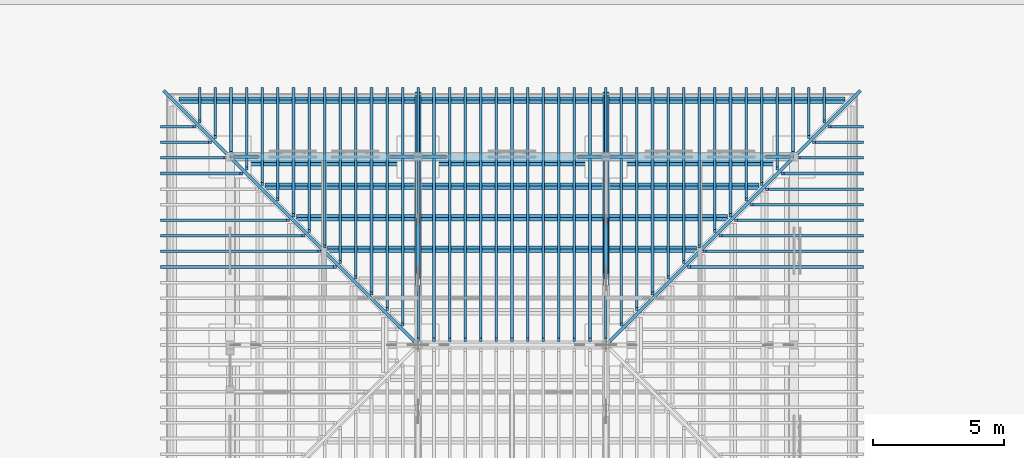
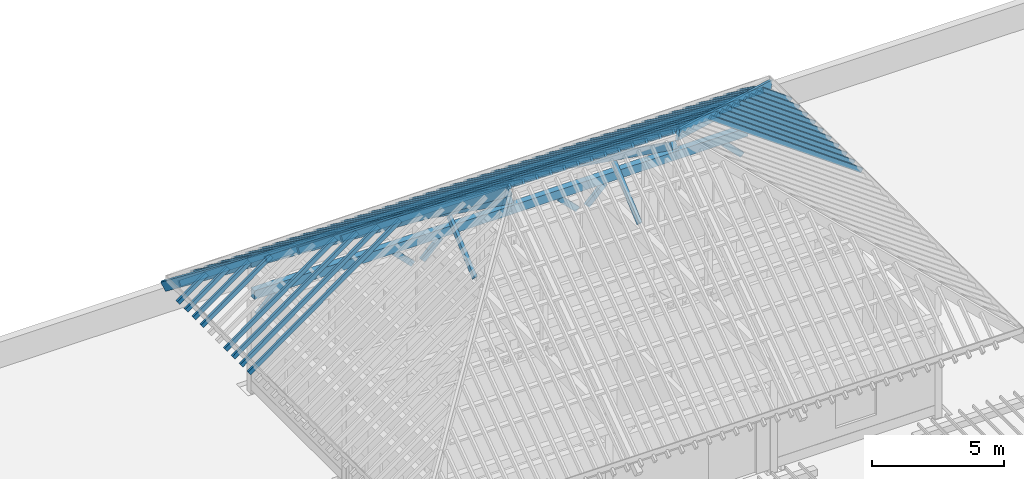
# One storey, part 13 of 84: 78 members, 1 beam.
"""IFC4 building model written with IfcOpenShell, lengths in metres."""

from ifc_helpers import new_model, si_unit, direction, frame, origin, origin_2d, place, context, subcontext, project, spatial, rectangle, extrude, material, material_profile, profile_set, type_object, element, save


model = new_model("IFC4")

# Units and contexts
model_context = context("Model", 3, precision=1e-05, world=origin(), true_north=direction((0.0, 1.0)))
body_context = subcontext(model_context, "Body", "Model", "MODEL_VIEW")
ifc_project = project(units=[si_unit("LENGTHUNIT", "METRE"), si_unit("AREAUNIT", "SQUARE_METRE"), si_unit("VOLUMEUNIT", "CUBIC_METRE"), si_unit("PLANEANGLEUNIT", "RADIAN"), si_unit("MASSUNIT", "GRAM", prefix="KILO")], contexts=[model_context])

# Site, building, storey
site_placement = place(None, origin())
site = spatial("IfcSite", under=ifc_project, at=site_placement, CompositionType="ELEMENT")
building_placement = place(site_placement, origin())
building = spatial("IfcBuilding", under=site, at=building_placement, Name="Mazhai Court Health Centre", CompositionType="ELEMENT")
storey_placement = place(building_placement, origin())
storey = spatial("IfcBuildingStorey", under=building, at=storey_placement, Name="L00", CompositionType="ELEMENT", Elevation=0.0)

# Members
ifc_material_1 = material(Name="Glulam GL24h", Category="wood")
ifc_material_profile_1 = material_profile(ifc_material_1, rectangle(XDim=0.10009765625, YDim=0.199951171875, at=origin_2d()), Name="GL24h 100x200")
ifc_profile_set_1 = profile_set([ifc_material_profile_1], Name="Glulam GL24h")
member_type_1 = type_object("IfcMemberType", Name="GL24h 100x200 rafter", PredefinedType="RAFTER", material=ifc_profile_set_1)
member_1_placement = place(storey_placement, frame((91.445556640625, 66.398193359375, 4.09375), z_axis=(0.0, -0.812418522715, 0.583074732731), x_axis=(1.0, 0.0, 0.0)))
element("IfcMember", 1, at=member_1_placement, inside=storey, type_object=member_type_1, Name="Rafter RV3-RF42", PredefinedType="RAFTER", context=body_context, shape_type="SweptSolid", body=[
    extrude(rectangle(XDim=0.10009765625, YDim=0.199951171875, at=origin_2d()), origin(), (0.0, 0.0, 1.0), 1.532958984375),
])
member_2_placement = place(storey_placement, frame((92.043212890625, 66.398193359375, 4.09375), z_axis=(0.0, -0.812415234691, 0.583079314023), x_axis=(1.0, 0.0, 0.0)))
element("IfcMember", 2, at=member_2_placement, inside=storey, type_object=member_type_1, Name="Rafter RV3-RF43", PredefinedType="RAFTER", context=body_context, shape_type="SweptSolid", body=[
    extrude(rectangle(XDim=0.10009765625, YDim=0.199951171875, at=origin_2d()), origin(), (0.0, 0.0, 1.0), 2.2685546875),
])
member_3_placement = place(storey_placement, frame((92.640869140625, 66.398193359375, 4.09375), z_axis=(0.0, -0.812402691267, 0.583096790612), x_axis=(1.0, 0.0, 0.0)))
element("IfcMember", 3, at=member_3_placement, inside=storey, type_object=member_type_1, Name="Rafter RV3-RF44", PredefinedType="RAFTER", context=body_context, shape_type="SweptSolid", body=[
    extrude(rectangle(XDim=0.10009765625, YDim=0.199951171875, at=origin_2d()), origin(), (0.0, 0.0, 1.0), 3.004638671875),
])
member_4_placement = place(storey_placement, frame((93.238525390625, 66.398193359375, 4.09375), z_axis=(0.0, -0.812403810832, 0.58309523077), x_axis=(1.0, 0.0, 0.0)))
element("IfcMember", 4, at=member_4_placement, inside=storey, type_object=member_type_1, Name="Rafter RV3-RF45", PredefinedType="RAFTER", context=body_context, shape_type="SweptSolid", body=[
    extrude(rectangle(XDim=0.10009765625, YDim=0.199951171875, at=origin_2d()), origin(), (0.0, 0.0, 1.0), 3.740234375),
])
member_5_placement = place(storey_placement, frame((93.83642578125, 66.398193359375, 4.09375), z_axis=(0.0, -0.812404562369, 0.58309418368), x_axis=(1.0, 0.0, 0.0)))
element("IfcMember", 5, at=member_5_placement, inside=storey, type_object=member_type_1, Name="Rafter RV3-RF46", PredefinedType="RAFTER", context=body_context, shape_type="SweptSolid", body=[
    extrude(rectangle(XDim=0.10009765625, YDim=0.199951171875, at=origin_2d()), origin(), (0.0, 0.0, 1.0), 4.475830078125),
])
member_6_placement = place(storey_placement, frame((94.43408203125, 66.398193359375, 4.09375), z_axis=(0.0, -0.812421028402, 0.583071241453), x_axis=(1.0, 0.0, 0.0)))
element("IfcMember", 6, at=member_6_placement, inside=storey, type_object=member_type_1, Name="Rafter RV3-RF47", PredefinedType="RAFTER", context=body_context, shape_type="SweptSolid", body=[
    extrude(rectangle(XDim=0.10009765625, YDim=0.199951171875, at=origin_2d()), origin(), (0.0, 0.0, 1.0), 5.211669921875),
])
member_7_placement = place(storey_placement, frame((95.03173828125, 66.398193359375, 4.09375), z_axis=(0.0, -0.812419464296, 0.583073420791), x_axis=(1.0, 0.0, 0.0)))
element("IfcMember", 7, at=member_7_placement, inside=storey, type_object=member_type_1, Name="Rafter RV3-RF48", PredefinedType="RAFTER", context=body_context, shape_type="SweptSolid", body=[
    extrude(rectangle(XDim=0.10009765625, YDim=0.199951171875, at=origin_2d()), origin(), (0.0, 0.0, 1.0), 5.947509765625),
])
member_8_placement = place(storey_placement, frame((95.629638671875, 66.398193359375, 4.09375), z_axis=(0.0, -0.812418244534, 0.58307512033), x_axis=(1.0, 0.0, 0.0)))
element("IfcMember", 8, at=member_8_placement, inside=storey, type_object=member_type_1, Name="Rafter RV3-RF49", PredefinedType="RAFTER", context=body_context, shape_type="SweptSolid", body=[
    extrude(rectangle(XDim=0.10009765625, YDim=0.199951171875, at=origin_2d()), origin(), (0.0, 0.0, 1.0), 6.68310546875),
])
member_9_placement = place(storey_placement, frame((96.227294921875, 66.398193359375, 4.09375), z_axis=(0.0, -0.812428454473, 0.583060894214), x_axis=(1.0, 0.0, 0.0)))
element("IfcMember", 9, at=member_9_placement, inside=storey, type_object=member_type_1, Name="Rafter RV3-RF50", PredefinedType="RAFTER", context=body_context, shape_type="SweptSolid", body=[
    extrude(rectangle(XDim=0.10009765625, YDim=0.199951171875, at=origin_2d()), origin(), (0.0, 0.0, 1.0), 7.4189453125),
])
member_10_placement = place(storey_placement, frame((96.824951171875, 66.398193359375, 4.09375), z_axis=(0.0, -0.812426643806, 0.583063417163), x_axis=(1.0, 0.0, 0.0)))
element("IfcMember", 10, at=member_10_placement, inside=storey, type_object=member_type_1, Name="Rafter RV3-RF51", PredefinedType="RAFTER", context=body_context, shape_type="SweptSolid", body=[
    extrude(rectangle(XDim=0.10009765625, YDim=0.199951171875, at=origin_2d()), origin(), (0.0, 0.0, 1.0), 8.154541015625),
])
member_11_placement = place(storey_placement, frame((97.422607421875, 66.398193359375, 4.09375), z_axis=(0.0, -0.812425132796, 0.583065522563), x_axis=(1.0, 0.0, 0.0)))
element("IfcMember", 11, at=member_11_placement, inside=storey, type_object=member_type_1, Name="Rafter RV3-RF52", PredefinedType="RAFTER", context=body_context, shape_type="SweptSolid", body=[
    extrude(rectangle(XDim=0.10009765625, YDim=0.199951171875, at=origin_2d()), origin(), (0.0, 0.0, 1.0), 8.89013671875),
])
member_12_placement = place(storey_placement, frame((98.0205078125, 66.398193359375, 4.09375), z_axis=(0.0, -0.812423852739, 0.58306730615), x_axis=(1.0, 0.0, 0.0)))
element("IfcMember", 12, at=member_12_placement, inside=storey, type_object=member_type_1, Name="Rafter RV3-RF53", PredefinedType="RAFTER", context=body_context, shape_type="SweptSolid", body=[
    extrude(rectangle(XDim=0.10009765625, YDim=0.199951171875, at=origin_2d()), origin(), (0.0, 0.0, 1.0), 9.6259765625),
])
member_13_placement = place(storey_placement, frame((98.6181640625, 66.398193359375, 4.09375), z_axis=(0.0, -0.812430764619, 0.583057675278), x_axis=(1.0, 0.0, 0.0)))
element("IfcMember", 13, at=member_13_placement, inside=storey, type_object=member_type_1, Name="Rafter RV3-RF54", PredefinedType="RAFTER", context=body_context, shape_type="SweptSolid", body=[
    extrude(rectangle(XDim=0.10009765625, YDim=0.199951171875, at=origin_2d()), origin(), (0.0, 0.0, 1.0), 10.36181640625),
])
member_14_placement = place(storey_placement, frame((99.2158203125, 66.398193359375, 4.09375), z_axis=(0.0, -0.812429280975, 0.583059742578), x_axis=(1.0, 0.0, 0.0)))
element("IfcMember", 14, at=member_14_placement, inside=storey, type_object=member_type_1, Name="Rafter RV3-RF55", PredefinedType="RAFTER", context=body_context, shape_type="SweptSolid", body=[
    extrude(rectangle(XDim=0.10009765625, YDim=0.199951171875, at=origin_2d()), origin(), (0.0, 0.0, 1.0), 11.097412109375),
])
for number, where, z_axis, x_axis, name in (
    (15, (99.813720703125, 66.398193359375, 4.09375), (0.0, -0.812426122634, 0.583064143352), (1.0, 0.0, 0.0), "Rafter RV3-RF56"),
    (16, (100.411376953125, 66.398193359375, 4.09375), (0.0, -0.812426122634, 0.583064143352), (1.0, 0.0, 0.0), "Rafter RV3-RF57"),
    (17, (101.009033203125, 66.398193359375, 4.09375), (0.0, -0.812426122634, 0.583064143352), (1.0, 0.0, 0.0), "Rafter RV3-RF58"),
    (18, (101.60693359375, 66.398193359375, 4.09375), (0.0, -0.812426122634, 0.583064143352), (1.0, 0.0, 0.0), "Rafter RV3-RF59"),
    (19, (102.20458984375, 66.398193359375, 4.09375), (0.0, -0.812426122634, 0.583064143352), (1.0, 0.0, 0.0), "Rafter RV3-RF60"),
    (20, (102.80224609375, 66.398193359375, 4.09375), (0.0, -0.812426122634, 0.583064143352), (1.0, 0.0, 0.0), "Rafter RV3-RF61"),
    (21, (103.39990234375, 66.398193359375, 4.09375), (0.0, -0.812426122634, 0.583064143352), (1.0, 0.0, 0.0), "Rafter RV3-RF62"),
    (22, (103.997802734375, 66.398193359375, 4.09375), (0.0, -0.812426122634, 0.583064143352), (1.0, 0.0, 0.0), "Rafter RV3-RF63"),
    (23, (104.595458984375, 66.398193359375, 4.09375), (0.0, -0.812426122634, 0.583064143352), (1.0, 0.0, 0.0), "Rafter RV3-RF64"),
    (24, (105.193115234375, 66.398193359375, 4.09375), (0.0, -0.812426122634, 0.583064143352), (1.0, 0.0, 0.0), "Rafter RV3-RF65"),
    (25, (105.791015625, 66.398193359375, 4.09375), (0.0, -0.812426122634, 0.583064143352), (1.0, 0.0, 0.0), "Rafter RV3-RF66"),
    (26, (106.388671875, 66.398193359375, 4.09375), (0.0, -0.812426122634, 0.583064143352), (1.0, 0.0, 0.0), "Rafter RV3-RF67"),
    (27, (106.986328125, 66.398193359375, 4.09375), (0.0, -0.812426122634, 0.583064143352), (1.0, 0.0, 0.0), "Rafter RV3-RF68"),
):
    element("IfcMember", number, at=place(storey_placement, frame(where, z_axis=z_axis, x_axis=x_axis)), inside=storey, type_object=member_type_1, Name=name, PredefinedType="RAFTER", context=body_context, shape_type="SweptSolid", body=[
        extrude(rectangle(XDim=0.10009765625, YDim=0.199951171875, at=origin_2d()), origin(), (0.0, 0.0, 1.0), 11.816162109375),
    ])
member_15_placement = place(storey_placement, frame((107.583984375, 66.398193359375, 4.09375), z_axis=(0.0, -0.812429280975, 0.583059742578), x_axis=(1.0, 0.0, 0.0)))
element("IfcMember", 28, at=member_15_placement, inside=storey, type_object=member_type_1, Name="Rafter RV3-RF69", PredefinedType="RAFTER", context=body_context, shape_type="SweptSolid", body=[
    extrude(rectangle(XDim=0.10009765625, YDim=0.199951171875, at=origin_2d()), origin(), (0.0, 0.0, 1.0), 11.097412109375),
])
member_16_placement = place(storey_placement, frame((108.181884765625, 66.398193359375, 4.09375), z_axis=(0.0, -0.812430764619, 0.583057675278), x_axis=(1.0, 0.0, 0.0)))
element("IfcMember", 29, at=member_16_placement, inside=storey, type_object=member_type_1, Name="Rafter RV3-RF70", PredefinedType="RAFTER", context=body_context, shape_type="SweptSolid", body=[
    extrude(rectangle(XDim=0.10009765625, YDim=0.199951171875, at=origin_2d()), origin(), (0.0, 0.0, 1.0), 10.36181640625),
])
member_17_placement = place(storey_placement, frame((108.779541015625, 66.398193359375, 4.09375), z_axis=(0.0, -0.812423852739, 0.58306730615), x_axis=(1.0, 0.0, 0.0)))
element("IfcMember", 30, at=member_17_placement, inside=storey, type_object=member_type_1, Name="Rafter RV3-RF71", PredefinedType="RAFTER", context=body_context, shape_type="SweptSolid", body=[
    extrude(rectangle(XDim=0.10009765625, YDim=0.199951171875, at=origin_2d()), origin(), (0.0, 0.0, 1.0), 9.6259765625),
])
member_18_placement = place(storey_placement, frame((109.377197265625, 66.398193359375, 4.09375), z_axis=(0.0, -0.812425132796, 0.583065522563), x_axis=(1.0, 0.0, 0.0)))
element("IfcMember", 31, at=member_18_placement, inside=storey, type_object=member_type_1, Name="Rafter RV3-RF72", PredefinedType="RAFTER", context=body_context, shape_type="SweptSolid", body=[
    extrude(rectangle(XDim=0.10009765625, YDim=0.199951171875, at=origin_2d()), origin(), (0.0, 0.0, 1.0), 8.89013671875),
])
member_19_placement = place(storey_placement, frame((109.97509765625, 66.398193359375, 4.09375), z_axis=(0.0, -0.812426643806, 0.583063417163), x_axis=(1.0, 0.0, 0.0)))
element("IfcMember", 32, at=member_19_placement, inside=storey, type_object=member_type_1, Name="Rafter RV3-RF73", PredefinedType="RAFTER", context=body_context, shape_type="SweptSolid", body=[
    extrude(rectangle(XDim=0.10009765625, YDim=0.199951171875, at=origin_2d()), origin(), (0.0, 0.0, 1.0), 8.154541015625),
])
member_20_placement = place(storey_placement, frame((110.57275390625, 66.398193359375, 4.09375), z_axis=(0.0, -0.812428454473, 0.583060894214), x_axis=(1.0, 0.0, 0.0)))
element("IfcMember", 33, at=member_20_placement, inside=storey, type_object=member_type_1, Name="Rafter RV3-RF74", PredefinedType="RAFTER", context=body_context, shape_type="SweptSolid", body=[
    extrude(rectangle(XDim=0.10009765625, YDim=0.199951171875, at=origin_2d()), origin(), (0.0, 0.0, 1.0), 7.4189453125),
])
member_21_placement = place(storey_placement, frame((111.17041015625, 66.398193359375, 4.09375), z_axis=(0.0, -0.812418244534, 0.58307512033), x_axis=(1.0, 0.0, 0.0)))
element("IfcMember", 34, at=member_21_placement, inside=storey, type_object=member_type_1, Name="Rafter RV3-RF75", PredefinedType="RAFTER", context=body_context, shape_type="SweptSolid", body=[
    extrude(rectangle(XDim=0.10009765625, YDim=0.199951171875, at=origin_2d()), origin(), (0.0, 0.0, 1.0), 6.68310546875),
])
member_22_placement = place(storey_placement, frame((111.76806640625, 66.398193359375, 4.09375), z_axis=(0.0, -0.812419464296, 0.583073420791), x_axis=(1.0, 0.0, 0.0)))
element("IfcMember", 35, at=member_22_placement, inside=storey, type_object=member_type_1, Name="Rafter RV3-RF76", PredefinedType="RAFTER", context=body_context, shape_type="SweptSolid", body=[
    extrude(rectangle(XDim=0.10009765625, YDim=0.199951171875, at=origin_2d()), origin(), (0.0, 0.0, 1.0), 5.947509765625),
])
member_23_placement = place(storey_placement, frame((112.365966796875, 66.398193359375, 4.09375), z_axis=(0.0, -0.812421028402, 0.583071241453), x_axis=(1.0, 0.0, 0.0)))
element("IfcMember", 36, at=member_23_placement, inside=storey, type_object=member_type_1, Name="Rafter RV3-RF77", PredefinedType="RAFTER", context=body_context, shape_type="SweptSolid", body=[
    extrude(rectangle(XDim=0.10009765625, YDim=0.199951171875, at=origin_2d()), origin(), (0.0, 0.0, 1.0), 5.211669921875),
])
member_24_placement = place(storey_placement, frame((112.963623046875, 66.398193359375, 4.09375), z_axis=(0.0, -0.812404562369, 0.58309418368), x_axis=(1.0, 0.0, 0.0)))
element("IfcMember", 37, at=member_24_placement, inside=storey, type_object=member_type_1, Name="Rafter RV3-RF78", PredefinedType="RAFTER", context=body_context, shape_type="SweptSolid", body=[
    extrude(rectangle(XDim=0.10009765625, YDim=0.199951171875, at=origin_2d()), origin(), (0.0, 0.0, 1.0), 4.475830078125),
])
member_25_placement = place(storey_placement, frame((113.561279296875, 66.398193359375, 4.09375), z_axis=(0.0, -0.812403810832, 0.58309523077), x_axis=(1.0, 0.0, 0.0)))
element("IfcMember", 38, at=member_25_placement, inside=storey, type_object=member_type_1, Name="Rafter RV3-RF79", PredefinedType="RAFTER", context=body_context, shape_type="SweptSolid", body=[
    extrude(rectangle(XDim=0.10009765625, YDim=0.199951171875, at=origin_2d()), origin(), (0.0, 0.0, 1.0), 3.740234375),
])
member_26_placement = place(storey_placement, frame((114.1591796875, 66.398193359375, 4.09375), z_axis=(0.0, -0.812402691267, 0.583096790612), x_axis=(1.0, 0.0, 0.0)))
element("IfcMember", 39, at=member_26_placement, inside=storey, type_object=member_type_1, Name="Rafter RV3-RF80", PredefinedType="RAFTER", context=body_context, shape_type="SweptSolid", body=[
    extrude(rectangle(XDim=0.10009765625, YDim=0.199951171875, at=origin_2d()), origin(), (0.0, 0.0, 1.0), 3.004638671875),
])
member_27_placement = place(storey_placement, frame((114.7568359375, 66.398193359375, 4.09375), z_axis=(0.0, -0.812415234691, 0.583079314023), x_axis=(1.0, 0.0, 0.0)))
element("IfcMember", 40, at=member_27_placement, inside=storey, type_object=member_type_1, Name="Rafter RV3-RF81", PredefinedType="RAFTER", context=body_context, shape_type="SweptSolid", body=[
    extrude(rectangle(XDim=0.10009765625, YDim=0.199951171875, at=origin_2d()), origin(), (0.0, 0.0, 1.0), 2.2685546875),
])
member_28_placement = place(storey_placement, frame((115.3544921875, 66.398193359375, 4.09375), z_axis=(0.0, -0.812418522715, 0.583074732731), x_axis=(1.0, 0.0, 0.0)))
element("IfcMember", 41, at=member_28_placement, inside=storey, type_object=member_type_1, Name="Rafter RV3-RF82", PredefinedType="RAFTER", context=body_context, shape_type="SweptSolid", body=[
    extrude(rectangle(XDim=0.10009765625, YDim=0.199951171875, at=origin_2d()), origin(), (0.0, 0.0, 1.0), 1.532958984375),
])
member_29_placement = place(storey_placement, frame((90.001708984375, 59.58447265625, 4.09375), z_axis=(0.812436984369, 0.0, 0.5830490086), x_axis=(0.0, 1.0, 0.0)))
element("IfcMember", 42, at=member_29_placement, inside=storey, type_object=member_type_1, Name="Rafter RV3-RF102", PredefinedType="RAFTER", context=body_context, shape_type="SweptSolid", body=[
    extrude(rectangle(XDim=0.10009765625, YDim=0.199951171875, at=origin_2d()), origin(), (0.0, 0.0, 1.0), 8.14306640625),
])
member_30_placement = place(storey_placement, frame((90.001708984375, 60.18115234375, 4.09375), z_axis=(0.812426601812, 0.0, 0.583063475677), x_axis=(0.0, 1.0, 0.0)))
element("IfcMember", 43, at=member_30_placement, inside=storey, type_object=member_type_1, Name="Rafter RV3-RF103", PredefinedType="RAFTER", context=body_context, shape_type="SweptSolid", body=[
    extrude(rectangle(XDim=0.10009765625, YDim=0.199951171875, at=origin_2d()), origin(), (0.0, 0.0, 1.0), 7.408447265625),
])
member_31_placement = place(storey_placement, frame((90.001708984375, 60.778076171875, 4.09375), z_axis=(0.812431262161, 0.0, 0.583056982003), x_axis=(0.0, 1.0, 0.0)))
element("IfcMember", 44, at=member_31_placement, inside=storey, type_object=member_type_1, Name="Rafter RV3-RF104", PredefinedType="RAFTER", context=body_context, shape_type="SweptSolid", body=[
    extrude(rectangle(XDim=0.10009765625, YDim=0.199951171875, at=origin_2d()), origin(), (0.0, 0.0, 1.0), 6.673583984375),
])
member_32_placement = place(storey_placement, frame((90.001708984375, 61.375, 4.09375), z_axis=(0.812417602705, 0.0, 0.583076014611), x_axis=(0.0, 1.0, 0.0)))
element("IfcMember", 45, at=member_32_placement, inside=storey, type_object=member_type_1, Name="Rafter RV3-RF105", PredefinedType="RAFTER", context=body_context, shape_type="SweptSolid", body=[
    extrude(rectangle(XDim=0.10009765625, YDim=0.199951171875, at=origin_2d()), origin(), (0.0, 0.0, 1.0), 5.93896484375),
])
member_33_placement = place(storey_placement, frame((90.001708984375, 63.16552734375, 4.09375), z_axis=(0.812428532233, 0.0, 0.583060785865), x_axis=(0.0, 1.0, 0.0)))
element("IfcMember", 46, at=member_33_placement, inside=storey, type_object=member_type_1, Name="Rafter RV3-RF108", PredefinedType="RAFTER", context=body_context, shape_type="SweptSolid", body=[
    extrude(rectangle(XDim=0.10009765625, YDim=0.199951171875, at=origin_2d()), origin(), (0.0, 0.0, 1.0), 3.735107421875),
])
member_34_placement = place(storey_placement, frame((90.001708984375, 63.762451171875, 4.09375), z_axis=(0.812439371271, 0.0, 0.583045682608), x_axis=(0.0, 1.0, 0.0)))
element("IfcMember", 47, at=member_34_placement, inside=storey, type_object=member_type_1, Name="Rafter RV3-RF109", PredefinedType="RAFTER", context=body_context, shape_type="SweptSolid", body=[
    extrude(rectangle(XDim=0.10009765625, YDim=0.199951171875, at=origin_2d()), origin(), (0.0, 0.0, 1.0), 3.000244140625),
])
member_35_placement = place(storey_placement, frame((90.001708984375, 64.359375, 4.09375), z_axis=(0.812406193788, 0.0, 0.583091910676), x_axis=(0.0, 1.0, 0.0)))
element("IfcMember", 48, at=member_35_placement, inside=storey, type_object=member_type_1, Name="Rafter RV3-RF110", PredefinedType="RAFTER", context=body_context, shape_type="SweptSolid", body=[
    extrude(rectangle(XDim=0.10009765625, YDim=0.199951171875, at=origin_2d()), origin(), (0.0, 0.0, 1.0), 2.265625),
])
for number, where, z_axis, x_axis, name in (
    (49, (90.001708984375, 64.956298828125, 4.09375), (0.81247092687, 0.0, 0.583001709252), (0.0, 1.0, 0.0), "Rafter RV3-RF111"),
    (50, (116.79833984375, 64.956298828125, 4.09375), (-0.81247092687, 0.0, 0.583001709252), (0.0, -1.0, 0.0), "Rafter RV3-RF112"),
):
    element("IfcMember", number, at=place(storey_placement, frame(where, z_axis=z_axis, x_axis=x_axis)), inside=storey, type_object=member_type_1, Name=name, PredefinedType="RAFTER", context=body_context, shape_type="SweptSolid", body=[
        extrude(rectangle(XDim=0.10009765625, YDim=0.199951171875, at=origin_2d()), origin(), (0.0, 0.0, 1.0), 1.531005859375),
    ])
member_36_placement = place(storey_placement, frame((116.79833984375, 64.359375, 4.09375), z_axis=(-0.812442827125, 0.0, 0.583040867052), x_axis=(0.0, -1.0, 0.0)))
element("IfcMember", 51, at=member_36_placement, inside=storey, type_object=member_type_1, Name="Rafter RV3-RF113", PredefinedType="RAFTER", context=body_context, shape_type="SweptSolid", body=[
    extrude(rectangle(XDim=0.10009765625, YDim=0.199951171875, at=origin_2d()), origin(), (0.0, 0.0, 1.0), 2.265869140625),
])
member_37_placement = place(storey_placement, frame((116.79833984375, 63.762451171875, 4.09375), z_axis=(-0.812439371271, 0.0, 0.583045682608), x_axis=(0.0, -1.0, 0.0)))
element("IfcMember", 52, at=member_37_placement, inside=storey, type_object=member_type_1, Name="Rafter RV3-RF114", PredefinedType="RAFTER", context=body_context, shape_type="SweptSolid", body=[
    extrude(rectangle(XDim=0.10009765625, YDim=0.199951171875, at=origin_2d()), origin(), (0.0, 0.0, 1.0), 3.000244140625),
])
member_38_placement = place(storey_placement, frame((116.79833984375, 63.16552734375, 4.09375), z_axis=(-0.812428532233, 0.0, 0.583060785865), x_axis=(0.0, -1.0, 0.0)))
element("IfcMember", 53, at=member_38_placement, inside=storey, type_object=member_type_1, Name="Rafter RV3-RF115", PredefinedType="RAFTER", context=body_context, shape_type="SweptSolid", body=[
    extrude(rectangle(XDim=0.10009765625, YDim=0.199951171875, at=origin_2d()), origin(), (0.0, 0.0, 1.0), 3.735107421875),
])
member_39_placement = place(storey_placement, frame((116.79833984375, 62.56884765625, 4.09375), z_axis=(-0.812421256659, 0.0, 0.583070923412), x_axis=(0.0, -1.0, 0.0)))
element("IfcMember", 54, at=member_39_placement, inside=storey, type_object=member_type_1, Name="Rafter RV3-RF116", PredefinedType="RAFTER", context=body_context, shape_type="SweptSolid", body=[
    extrude(rectangle(XDim=0.10009765625, YDim=0.199951171875, at=origin_2d()), origin(), (0.0, 0.0, 1.0), 4.4697265625),
])
member_40_placement = place(storey_placement, frame((116.79833984375, 61.971923828125, 4.09375), z_axis=(-0.81243825622, 0.0, 0.583047236362), x_axis=(0.0, -1.0, 0.0)))
element("IfcMember", 55, at=member_40_placement, inside=storey, type_object=member_type_1, Name="Rafter RV3-RF117", PredefinedType="RAFTER", context=body_context, shape_type="SweptSolid", body=[
    extrude(rectangle(XDim=0.10009765625, YDim=0.199951171875, at=origin_2d()), origin(), (0.0, 0.0, 1.0), 5.204345703125),
])
member_41_placement = place(storey_placement, frame((116.79833984375, 61.375, 4.09375), z_axis=(-0.812431577809, 0.0, 0.58305654218), x_axis=(0.0, -1.0, 0.0)))
element("IfcMember", 56, at=member_41_placement, inside=storey, type_object=member_type_1, Name="Rafter RV3-RF118", PredefinedType="RAFTER", context=body_context, shape_type="SweptSolid", body=[
    extrude(rectangle(XDim=0.10009765625, YDim=0.199951171875, at=origin_2d()), origin(), (0.0, 0.0, 1.0), 5.939208984375),
])
member_42_placement = place(storey_placement, frame((116.79833984375, 60.778076171875, 4.09375), z_axis=(-0.812431262161, 0.0, 0.583056982003), x_axis=(0.0, -1.0, 0.0)))
element("IfcMember", 57, at=member_42_placement, inside=storey, type_object=member_type_1, Name="Rafter RV3-RF119", PredefinedType="RAFTER", context=body_context, shape_type="SweptSolid", body=[
    extrude(rectangle(XDim=0.10009765625, YDim=0.199951171875, at=origin_2d()), origin(), (0.0, 0.0, 1.0), 6.673583984375),
])
member_43_placement = place(storey_placement, frame((116.79833984375, 60.18115234375, 4.09375), z_axis=(-0.812426601812, 0.0, 0.583063475677), x_axis=(0.0, -1.0, 0.0)))
element("IfcMember", 58, at=member_43_placement, inside=storey, type_object=member_type_1, Name="Rafter RV3-RF120", PredefinedType="RAFTER", context=body_context, shape_type="SweptSolid", body=[
    extrude(rectangle(XDim=0.10009765625, YDim=0.199951171875, at=origin_2d()), origin(), (0.0, 0.0, 1.0), 7.408447265625),
])
member_44_placement = place(storey_placement, frame((116.79833984375, 59.58447265625, 4.09375), z_axis=(-0.812436984369, 0.0, 0.5830490086), x_axis=(0.0, -1.0, 0.0)))
element("IfcMember", 59, at=member_44_placement, inside=storey, type_object=member_type_1, Name="Rafter RV3-RF121", PredefinedType="RAFTER", context=body_context, shape_type="SweptSolid", body=[
    extrude(rectangle(XDim=0.10009765625, YDim=0.199951171875, at=origin_2d()), origin(), (0.0, 0.0, 1.0), 8.14306640625),
])
ifc_material_2 = material(Name="Glulam GL24h", Category="wood")
ifc_material_profile_2 = material_profile(ifc_material_2, rectangle(XDim=0.1201171875, YDim=0.43994140625, at=origin_2d()), Name="GL24h 120x440")
ifc_profile_set_2 = profile_set([ifc_material_profile_2], Name="Glulam GL24h")
member_type_2 = type_object("IfcMemberType", Name="GL24h 120x440 hip rafter", PredefinedType="RAFTER", material=ifc_profile_set_2)
member_45_placement = place(storey_placement, frame((92.51708984375, 63.883056640625, 5.72705078125), z_axis=(0.630548266976, -0.630569611106, 0.452538228841), x_axis=(0.707118748704, 0.707094813466, 0.0)))
element("IfcMember", 60, at=member_45_placement, inside=storey, type_object=member_type_2, Name="Hip rafter RV3-HR5", PredefinedType="RAFTER", context=body_context, shape_type="SweptSolid", body=[
    extrude(rectangle(XDim=0.1201171875, YDim=0.43994140625, at=origin_2d()), origin(), (0.0, 0.0, 1.0), 11.438232421875),
])
member_46_placement = place(storey_placement, frame((90.129638671875, 66.2705078125, 4.013671875), z_axis=(0.630529297618, -0.630593440985, 0.452531454191), x_axis=(0.707142745217, 0.707070815327, 0.0)))
element("IfcMember", 61, at=member_46_placement, inside=storey, type_object=member_type_2, Name="Hip rafter tail RV3-HR6", PredefinedType="RAFTER", context=body_context, shape_type="SweptSolid", body=[
    extrude(rectangle(XDim=0.1201171875, YDim=0.43994140625, at=origin_2d()), origin(), (0.0, 0.0, 1.0), 3.80615234375),
])
member_47_placement = place(storey_placement, frame((114.282958984375, 63.883056640625, 5.72705078125), z_axis=(-0.63056112461, -0.63056112461, 0.452532138374), x_axis=(0.707106781187, -0.707106781187, 0.0)))
element("IfcMember", 62, at=member_47_placement, inside=storey, type_object=member_type_2, Name="Hip rafter RV3-HR7", PredefinedType="RAFTER", context=body_context, shape_type="SweptSolid", body=[
    extrude(rectangle(XDim=0.1201171875, YDim=0.43994140625, at=origin_2d()), origin(), (0.0, 0.0, 1.0), 11.4384765625),
])
member_48_placement = place(storey_placement, frame((116.67041015625, 66.2705078125, 4.013671875), z_axis=(-0.630529297618, -0.630593440985, 0.452531454191), x_axis=(0.707142745217, -0.707070815327, 0.0)))
element("IfcMember", 63, at=member_48_placement, inside=storey, type_object=member_type_2, Name="Hip rafter tail RV3-HR8", PredefinedType="RAFTER", context=body_context, shape_type="SweptSolid", body=[
    extrude(rectangle(XDim=0.1201171875, YDim=0.43994140625, at=origin_2d()), origin(), (0.0, 0.0, 1.0), 3.80615234375),
])
ifc_material_3 = material(Name="Glulam GL24h", Category="wood")
ifc_material_profile_3 = material_profile(ifc_material_3, rectangle(XDim=0.139892578125, YDim=0.239990234375, at=origin_2d()), Name="GL24h 140x240")
ifc_profile_set_3 = profile_set([ifc_material_profile_3], Name="Glulam GL24h")
member_type_3 = type_object("IfcMemberType", Name="GL24h 140x240 purlin", PredefinedType="PURLIN", material=ifc_profile_set_3)
member_49_placement = place(storey_placement, frame((90.6416015625, 65.969970703125, 4.13037109375), z_axis=(1.0, 0.0, 0.0), x_axis=(0.0, 0.81243100259, -0.58305734369)))
element("IfcMember", 64, at=member_49_placement, inside=storey, type_object=member_type_3, Name="Purlin RV3-PU8", PredefinedType="PURLIN", context=body_context, shape_type="SweptSolid", body=[
    extrude(rectangle(XDim=0.139892578125, YDim=0.239990234375, at=origin_2d()), origin(), (0.0, 0.0, 1.0), 25.5166015625),
])
member_50_placement = place(storey_placement, frame((93.041748046875, 63.570068359375, 5.852783203125), z_axis=(1.0, 0.0, 0.0), x_axis=(0.0, 0.81243100259, -0.58305734369)))
element("IfcMember", 65, at=member_50_placement, inside=storey, type_object=member_type_3, Name="Purlin RV3-PU9", PredefinedType="PURLIN", context=body_context, shape_type="SweptSolid", body=[
    extrude(rectangle(XDim=0.139892578125, YDim=0.239990234375, at=origin_2d()), origin(), (0.0, 0.0, 1.0), 20.716552734375),
])
member_51_placement = place(storey_placement, frame((93.941650390625, 62.669921875, 6.498779296875), z_axis=(1.0, 0.0, 0.0), x_axis=(0.0, 0.81243100259, -0.58305734369)))
element("IfcMember", 66, at=member_51_placement, inside=storey, type_object=member_type_3, Name="Purlin RV3-PU10", PredefinedType="PURLIN", context=body_context, shape_type="SweptSolid", body=[
    extrude(rectangle(XDim=0.139892578125, YDim=0.239990234375, at=origin_2d()), origin(), (0.0, 0.0, 1.0), 18.916748046875),
])
member_52_placement = place(storey_placement, frame((95.1416015625, 61.469970703125, 7.35986328125), z_axis=(1.0, 0.0, 0.0), x_axis=(0.0, 0.81243100259, -0.58305734369)))
element("IfcMember", 67, at=member_52_placement, inside=storey, type_object=member_type_3, Name="Purlin RV3-PU11", PredefinedType="PURLIN", context=body_context, shape_type="SweptSolid", body=[
    extrude(rectangle(XDim=0.139892578125, YDim=0.239990234375, at=origin_2d()), origin(), (0.0, 0.0, 1.0), 16.5166015625),
])
member_53_placement = place(storey_placement, frame((96.341796875, 60.27001953125, 8.22119140625), z_axis=(1.0, 0.0, 0.0), x_axis=(0.0, 0.81243100259, -0.58305734369)))
element("IfcMember", 68, at=member_53_placement, inside=storey, type_object=member_type_3, Name="Purlin RV3-PU12", PredefinedType="PURLIN", context=body_context, shape_type="SweptSolid", body=[
    extrude(rectangle(XDim=0.139892578125, YDim=0.239990234375, at=origin_2d()), origin(), (0.0, 0.0, 1.0), 14.116455078125),
])
ifc_material_4 = material(Name="Glulam GL24h", Category="wood")
ifc_material_profile_4 = material_profile(ifc_material_4, rectangle(XDim=0.139892578125, YDim=0.239990234375, at=origin_2d()), Name="GL24h 140x240")
ifc_profile_set_4 = profile_set([ifc_material_profile_4], Name="Glulam GL24h")
member_type_4 = type_object("IfcMemberType", Name="GL24h 140x240 strut", PredefinedType="BRACE", material=ifc_profile_set_4)
for number, where, z_axis, x_axis, name in (
    (69, (99.800048828125, 59.423583984375, 5.150634765625), (0.0, 0.754727263875, 0.656038685722), (-1.0, 0.0, 0.0), "Strut TV3-1-S2"),
    (70, (107.0, 59.423583984375, 5.150634765625), (0.0, 0.754727263875, 0.656038685722), (-1.0, 0.0, 0.0), "Strut TV3-2-S2"),
):
    element("IfcMember", number, at=place(storey_placement, frame(where, z_axis=z_axis, x_axis=x_axis)), inside=storey, type_object=member_type_4, Name=name, PredefinedType="BRACE", context=body_context, shape_type="SweptSolid", body=[
        extrude(rectangle(XDim=0.139892578125, YDim=0.239990234375, at=origin_2d()), origin(), (0.0, 0.0, 1.0), 2.590087890625),
    ])
ifc_material_5 = material(Name="Glulam GL28h", Category="wood")
ifc_material_profile_5 = material_profile(ifc_material_5, rectangle(XDim=0.139892578125, YDim=0.239990234375, at=origin_2d()), Name="GL28h 140x240")
ifc_profile_set_5 = profile_set([ifc_material_profile_5], Name="Glulam GL28h")
member_type_5 = type_object("IfcMemberType", Name="GL28h 140x240 knee brace", PredefinedType="BRACE", material=ifc_profile_set_5)
for number, where, z_axis, x_axis, name in (
    (71, (92.81494140625, 63.800048828125, 3.2548828125), (0.707106781187, 0.0, 0.707106781187), (0.0, 1.0, 0.0), "brace-V3-L00-02p"),
    (72, (99.585205078125, 63.800048828125, 3.2548828125), (-0.707106781187, 0.0, 0.707106781187), (0.0, -1.0, 0.0), "brace-V3-L00-12w"),
    (73, (100.014892578125, 63.800048828125, 3.2548828125), (0.707106781187, 0.0, 0.707106781187), (0.0, 1.0, 0.0), "brace-V3-L00-12p"),
    (74, (106.78515625, 63.800048828125, 3.2548828125), (-0.707106781187, 0.0, 0.707106781187), (0.0, -1.0, 0.0), "brace-V3-L00-22w"),
    (75, (107.21484375, 63.800048828125, 3.2548828125), (0.707106781187, 0.0, 0.707106781187), (0.0, 1.0, 0.0), "brace-V3-L00-22p"),
    (76, (113.985107421875, 63.800048828125, 3.2548828125), (-0.707106781187, 0.0, 0.707106781187), (0.0, -1.0, 0.0), "brace-V3-L00-32w"),
):
    element("IfcMember", number, at=place(storey_placement, frame(where, z_axis=z_axis, x_axis=x_axis)), inside=storey, type_object=member_type_5, Name=name, PredefinedType="BRACE", context=body_context, shape_type="SweptSolid", body=[
        extrude(rectangle(XDim=0.139892578125, YDim=0.239990234375, at=origin_2d()), origin(), (0.0, 0.0, 1.0), 1.11767578125),
    ])
ifc_material_6 = material(Name="Glulam GL28h", Category="wood")
ifc_material_profile_6 = material_profile(ifc_material_6, rectangle(XDim=0.239990234375, YDim=0.320068359375, at=origin_2d()), Name="GL28h 240x320")
ifc_profile_set_6 = profile_set([ifc_material_profile_6], Name="Glulam GL28h")
member_type_6 = type_object("IfcMemberType", Name="GL28h 240x320 rafter", PredefinedType="CHORD", material=ifc_profile_set_6)
for number, where, z_axis, x_axis, name in (
    (77, (99.800048828125, 56.79833984375, 10.367919921875), (0.0, 0.812428537861, -0.583060778023), (-1.0, 0.0, 0.0), "Rafter TV3-1-R8"),
    (78, (107.0, 56.79833984375, 10.367919921875), (0.0, 0.812428537861, -0.583060778023), (-1.0, 0.0, 0.0), "Rafter TV3-2-R8"),
):
    element("IfcMember", number, at=place(storey_placement, frame(where, z_axis=z_axis, x_axis=x_axis)), inside=storey, type_object=member_type_6, Name=name, PredefinedType="CHORD", context=body_context, shape_type="SweptSolid", body=[
        extrude(rectangle(XDim=0.239990234375, YDim=0.320068359375, at=origin_2d()), origin(), (0.0, 0.0, 1.0), 11.572265625),
    ])

# Beam
ifc_material_7 = material(Name="Glulam GL28h", Category="wood")
ifc_material_profile_7 = material_profile(ifc_material_7, rectangle(XDim=0.280029296875, YDim=0.39990234375, at=origin_2d()), Name="GL28h 280x400")
ifc_profile_set_7 = profile_set([ifc_material_profile_7], Name="Glulam GL28h")
beam_type = type_object("IfcBeamType", Name="GL28h 280x400 beam", PredefinedType="BEAM", material=ifc_profile_set_7)
beam_placement = place(storey_placement, frame((92.60009765625, 63.800048828125, 4.300048828125), z_axis=(1.0, 0.0, 0.0), x_axis=(0.0, 1.0, 0.0)))
element("IfcBeam", 79, at=beam_placement, inside=storey, type_object=beam_type, Name="beam-V3-L00-e2", PredefinedType="BEAM", context=body_context, shape_type="SweptSolid", body=[
    extrude(rectangle(XDim=0.280029296875, YDim=0.39990234375, at=origin_2d()), origin(), (0.0, 0.0, 1.0), 21.599853515625),
])

save(model, "model.ifc")
